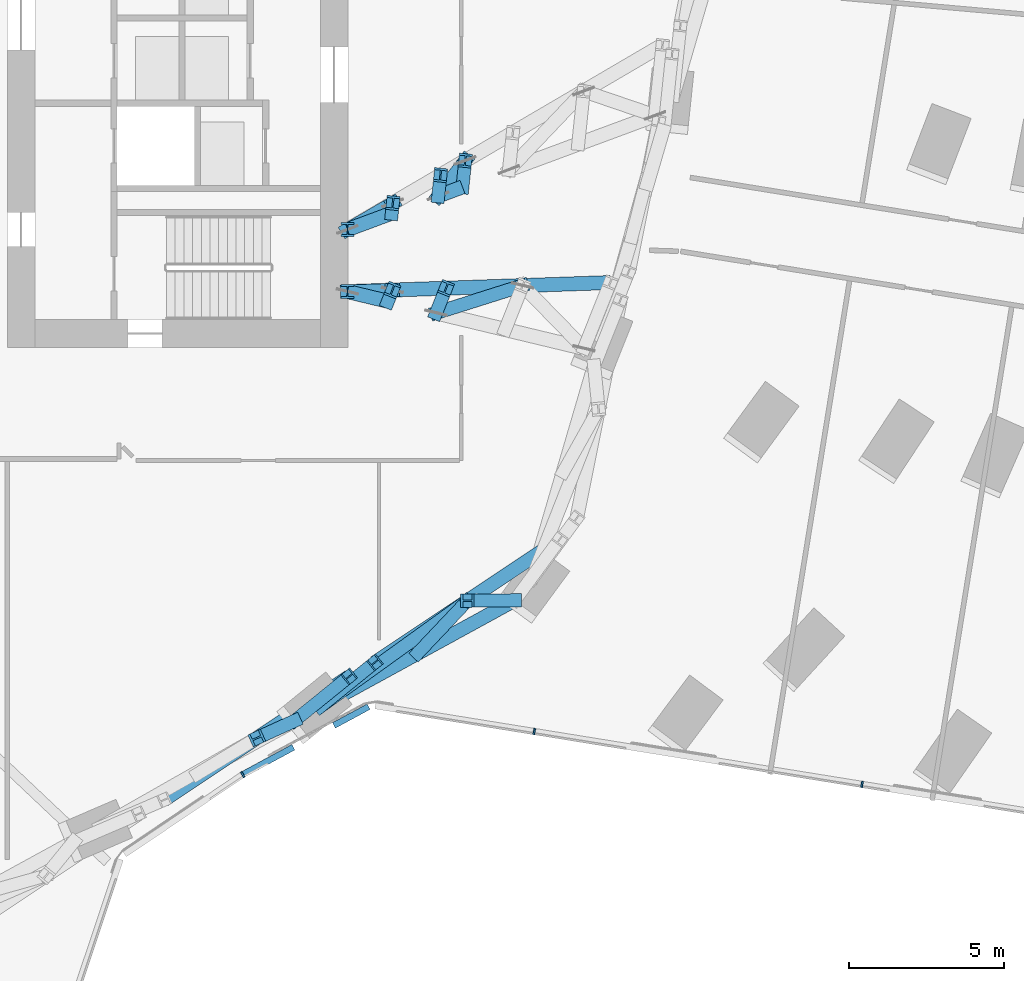
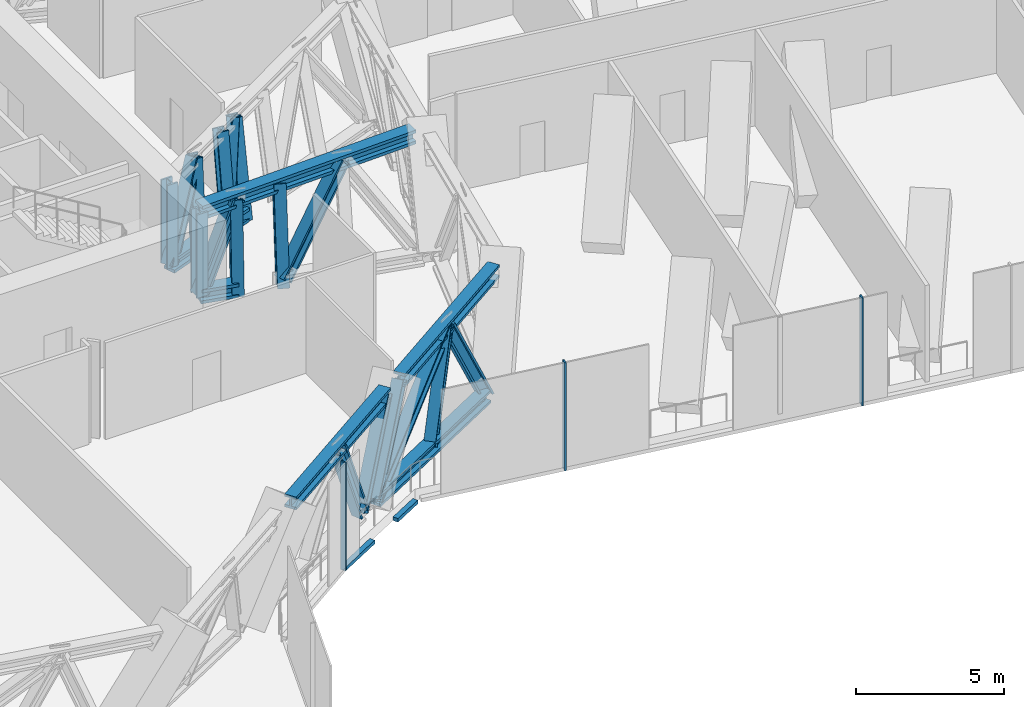
# One storey, part 8 of 39: 29 members, 3 elements without a shape of their own.
"""IFC4 building model written with IfcOpenShell, lengths in metres."""

from ifc_helpers import new_model, si_unit, direction, frame, origin, origin_2d, place, context, subcontext, project, spatial, rectangle, i_section, extrude, material, material_profile, profile_set, type_object, element, aggregate, save


model = new_model("IFC4")

# Units and contexts
model_context = context("Model", 3, precision=1e-05, world=origin(), true_north=direction((0.0, 1.0)))
body_context = subcontext(model_context, "Body", "Model", "MODEL_VIEW")
ifc_project = project(units=[si_unit("LENGTHUNIT", "METRE"), si_unit("AREAUNIT", "SQUARE_METRE"), si_unit("VOLUMEUNIT", "CUBIC_METRE"), si_unit("PLANEANGLEUNIT", "RADIAN"), si_unit("MASSUNIT", "GRAM", prefix="KILO")], contexts=[model_context])

# Site, building, storey
site_placement = place(None, origin())
site = spatial("IfcSite", under=ifc_project, at=site_placement, CompositionType="ELEMENT")
building_placement = place(site_placement, origin())
building = spatial("IfcBuilding", under=site, at=building_placement, Name="Orlundy Tower", CompositionType="ELEMENT")
storey_placement = place(building_placement, frame((0.0, 0.0, 141.199951171875)))
storey = spatial("IfcBuildingStorey", under=building, at=storey_placement, Name="L36", CompositionType="ELEMENT", Elevation=141.199951171875)

# Members
ifc_material_1 = material(Name="Steel ASTM A992 Gr 50", Category="steel")
ifc_material_profile_1 = material_profile(ifc_material_1, i_section(OverallWidth=0.4423828125, OverallDepth=0.531494140625, WebThickness=0.06591796875, FlangeThickness=0.105712890625, at=origin_2d()), Name="W14X605")
ifc_profile_set_1 = profile_set([ifc_material_profile_1], Name="Steel ASTM A992 Gr 50")
member_type_1 = type_object("IfcMemberType", Name="BELT TRUSS chord W14X605", PredefinedType="CHORD", material=ifc_profile_set_1)
member_1_placement = place(storey_placement, frame((13.070068359375, -26.59765625, 3.71533203125), z_axis=(0.831950773764, 0.554849448078, 0.0), x_axis=(-0.554849448078, 0.831950773764, 0.0)))
element("IfcMember", 1, at=member_1_placement, inside=storey, type_object=member_type_1, Name="Belt truss top chord BT-08", PredefinedType="CHORD", context=body_context, shape_type="SweptSolid", body=[
    extrude(i_section(OverallWidth=0.4423828125, OverallDepth=0.531494140625, WebThickness=0.06591796875, FlangeThickness=0.105712890625, at=origin_2d()), origin(), (0.0, 0.0, 1.0), 7.171875),
])
member_2_placement = place(storey_placement, frame((18.087890625, -23.6044921875, 0.28466796875), z_axis=(0.877159435059, 0.480199256026, 0.0), x_axis=(-0.480199256026, 0.877159435059, 0.0)))
element("IfcMember", 2, at=member_2_placement, inside=storey, type_object=member_type_1, Name="Belt truss bottom chord BT-09", PredefinedType="CHORD", context=body_context, shape_type="SweptSolid", body=[
    extrude(i_section(OverallWidth=0.4423828125, OverallDepth=0.531494140625, WebThickness=0.06591796875, FlangeThickness=0.105712890625, at=origin_2d()), origin(), (0.0, 0.0, 1.0), 7.171142578125),
])
member_3_placement = place(storey_placement, frame((19.865478515625, -22.16455078125, 3.71533203125), z_axis=(0.831929811827, 0.55488087748, 0.0), x_axis=(-0.55488087748, 0.831929811827, 0.0)))
element("IfcMember", 3, at=member_3_placement, inside=storey, type_object=member_type_1, Name="Belt truss top chord BT-09", PredefinedType="CHORD", context=body_context, shape_type="SweptSolid", body=[
    extrude(i_section(OverallWidth=0.4423828125, OverallDepth=0.531494140625, WebThickness=0.06591796875, FlangeThickness=0.105712890625, at=origin_2d()), origin(), (0.0, 0.0, 1.0), 7.17138671875),
])
ifc_material_2 = material(Name="Steel ASTM A992 Gr 50", Category="steel")
ifc_material_profile_2 = material_profile(ifc_material_2, i_section(OverallWidth=0.42431640625, OverallDepth=0.47412109375, WebThickness=0.0478515625, FlangeThickness=0.0771484375, at=origin_2d()), Name="W14X426")
ifc_profile_set_2 = profile_set([ifc_material_profile_2], Name="Steel ASTM A992 Gr 50")
member_type_2 = type_object("IfcMemberType", Name="BELT TRUSS diagonal W14X426", PredefinedType="BRACE", material=ifc_profile_set_2)
member_4_placement = place(storey_placement, frame((16.053466796875, -24.60791015625, 3.71533203125), z_axis=(0.327811888157, 0.149433892313, -0.932849868849), x_axis=(-0.414788412043, 0.909917893678, 0.0)))
element("IfcMember", 4, at=member_4_placement, inside=storey, type_object=member_type_2, Name="Belt truss diagonal BT-08-1", PredefinedType="BRACE", context=body_context, shape_type="SweptSolid", body=[
    extrude(i_section(OverallWidth=0.42431640625, OverallDepth=0.47412109375, WebThickness=0.0478515625, FlangeThickness=0.0771484375, at=origin_2d()), origin(), (0.0, 0.0, 1.0), 3.677734375),
])
member_5_placement = place(storey_placement, frame((18.087890625, -23.6044921875, 0.28466796875), z_axis=(0.700417522698, 0.504613844754, 0.504757527512), x_axis=(-0.584543664662, 0.811362252082, 0.0)))
element("IfcMember", 5, at=member_5_placement, inside=storey, type_object=member_type_2, Name="Belt truss diagonal BT-09-0", PredefinedType="BRACE", context=body_context, shape_type="SweptSolid", body=[
    extrude(i_section(OverallWidth=0.42431640625, OverallDepth=0.47412109375, WebThickness=0.0478515625, FlangeThickness=0.0771484375, at=origin_2d()), origin(), (0.0, 0.0, 1.0), 6.796630859375),
])
member_6_placement = place(storey_placement, frame((22.848388671875, -20.1748046875, 3.71533203125), z_axis=(0.407257034788, 0.003704700125, -0.913306072909), x_axis=(-0.009096336062, 0.999958627479, 0.0)))
element("IfcMember", 6, at=member_6_placement, inside=storey, type_object=member_type_2, Name="Belt truss diagonal BT-09-1", PredefinedType="BRACE", context=body_context, shape_type="SweptSolid", body=[
    extrude(i_section(OverallWidth=0.42431640625, OverallDepth=0.47412109375, WebThickness=0.0478515625, FlangeThickness=0.0771484375, at=origin_2d()), origin(), (0.0, 0.0, 1.0), 3.75634765625),
])
ifc_material_3 = material(Name="Steel ASTM A992 Gr 50", Category="steel")
ifc_material_profile_3 = material_profile(ifc_material_3, i_section(OverallWidth=0.412109375, OverallDepth=0.434814453125, WebThickness=0.035888671875, FlangeThickness=0.057373046875, at=origin_2d()), Name="W14X311")
ifc_profile_set_3 = profile_set([ifc_material_profile_3], Name="Steel ASTM A992 Gr 50")
member_type_3 = type_object("IfcMemberType", Name="BELT TRUSS post W14X311", PredefinedType="POST", material=ifc_profile_set_3)
for number, where, z_axis, x_axis, name in (
    (7, (17.259033203125, -24.058349609375, 0.28466796875), (0.43109408308, 0.349209298449, 0.831992041675), (-0.629446873548, 0.777043520905, 0.0), "Belt truss post BT-08-2"),
    (8, (18.087890625, -23.6044921875, 0.28466796875), (0.43109408308, 0.349209298449, 0.831992041675), (-0.629446873548, 0.777043520905, 0.0), "Belt truss post BT-09-0"),
):
    element("IfcMember", number, at=place(storey_placement, frame(where, z_axis=z_axis, x_axis=x_axis)), inside=storey, type_object=member_type_3, Name=name, PredefinedType="POST", context=body_context, shape_type="SweptSolid", body=[
        extrude(i_section(OverallWidth=0.412109375, OverallDepth=0.434814453125, WebThickness=0.035888671875, FlangeThickness=0.057373046875, at=origin_2d()), origin(), (0.0, 0.0, 1.0), 4.12353515625),
    ])
member_7_placement = place(storey_placement, frame((21.233154296875, -21.8828125, 0.28466796875), z_axis=(0.388388280399, 0.410695950675, 0.824914165079), x_axis=(-0.726563696362, 0.687099115942, 0.0)))
element("IfcMember", 9, at=member_7_placement, inside=storey, type_object=member_type_3, Name="Belt truss post BT-09-1", PredefinedType="POST", context=body_context, shape_type="SweptSolid", body=[
    extrude(i_section(OverallWidth=0.412109375, OverallDepth=0.434814453125, WebThickness=0.035888671875, FlangeThickness=0.057373046875, at=origin_2d()), origin(), (0.0, 0.0, 1.0), 4.15869140625),
])

# Curtain wall, members
ifc_material_4 = material(Name="Aluminium bronze anodised", Category="aluminium")
curtain_wall_type = type_object("IfcCurtainWallType", Name="CW4 wall", PredefinedType="NOTDEFINED", material=ifc_material_4)
curtain_wall_1_placement = place(storey_placement, origin())
curtain_wall_1 = element("IfcCurtainWall", 10, at=curtain_wall_1_placement, inside=storey, type_object=curtain_wall_type, Name="CW4 run 041", PredefinedType="NOTDEFINED")
ifc_material_5 = material(Name="Aluminium bronze anodised", Category="aluminium")
ifc_material_profile_4 = material_profile(ifc_material_5, rectangle(XDim=0.199951171875, YDim=0.06005859375, at=origin_2d()), Name="CW4 mullion 60x200")
ifc_profile_set_4 = profile_set([ifc_material_profile_4], Name="Aluminium bronze anodised")
member_type_4 = type_object("IfcMemberType", Name="CW4 mullion 60x200", PredefinedType="MULLION", material=ifc_profile_set_4)
member_8_placement = place(storey_placement, frame((35.582275390625, -26.101806640625, -0.449951171875), z_axis=(0.0, 0.0, 1.0), x_axis=(-0.159311085453, -0.987228432558, 0.0)))
member_8 = element("IfcMember", 11, at=member_8_placement, type_object=member_type_4, Name="CW4 mullion 72", PredefinedType="MULLION", context=body_context, shape_type="SweptSolid", body=[
    extrude(rectangle(XDim=0.199951171875, YDim=0.06005859375, at=origin_2d()), origin(), (0.0, 0.0, 1.0), 4.449951171875),
])
member_9_placement = place(storey_placement, frame((25.00537109375, -24.39501953125, -0.449951171875), z_axis=(0.0, 0.0, 1.0), x_axis=(-0.159311085453, -0.987228432558, 0.0)))
member_9 = element("IfcMember", 12, at=member_9_placement, type_object=member_type_4, Name="CW4 mullion 74", PredefinedType="MULLION", context=body_context, shape_type="SweptSolid", body=[
    extrude(rectangle(XDim=0.199951171875, YDim=0.06005859375, at=origin_2d()), origin(), (0.0, 0.0, 1.0), 4.449951171875),
])
aggregate(curtain_wall_1, [member_8, member_9])

# Curtain wall, member
curtain_wall_2_placement = place(storey_placement, origin())
curtain_wall_2 = element("IfcCurtainWall", 13, at=curtain_wall_2_placement, inside=storey, type_object=curtain_wall_type, Name="CW4 run 043", PredefinedType="NOTDEFINED")
member_10_placement = place(storey_placement, frame((15.596923828125, -25.78662109375, -0.449951171875), z_axis=(0.0, 0.0, 1.0), x_axis=(0.517522219842, -0.855669768059, 0.0)))
member_10 = element("IfcMember", 14, at=member_10_placement, type_object=member_type_4, Name="CW4 mullion 76", PredefinedType="MULLION", context=body_context, shape_type="SweptSolid", body=[
    extrude(rectangle(XDim=0.199951171875, YDim=0.06005859375, at=origin_2d()), origin(), (0.0, 0.0, 1.0), 4.449951171875),
])
aggregate(curtain_wall_2, [member_10])

# Curtain wall, members
curtain_wall_3_placement = place(storey_placement, origin())
curtain_wall_3 = element("IfcCurtainWall", 15, at=curtain_wall_3_placement, inside=storey, type_object=curtain_wall_type, Name="CW4 run 042", PredefinedType="NOTDEFINED")
ifc_material_6 = material(Name="Aluminium bronze anodised", Category="aluminium")
ifc_material_profile_5 = material_profile(ifc_material_6, rectangle(XDim=0.199951171875, YDim=0.14990234375, at=origin_2d()), Name="CW4 transom 200x150")
ifc_profile_set_5 = profile_set([ifc_material_profile_5], Name="Aluminium bronze anodised")
member_type_5 = type_object("IfcMemberType", Name="CW4 transom 200x150", PredefinedType="USERDEFINED", material=ifc_profile_set_5)
member_11_placement = place(storey_placement, frame((19.66259765625, -23.594482421875, -0.375), z_axis=(-0.880187574392, -0.474625993689, 0.0), x_axis=(0.474625993689, -0.880187574392, 0.0)))
member_11 = element("IfcMember", 16, at=member_11_placement, type_object=member_type_5, Name="CW4 transom", ObjectType="TRANSOM", PredefinedType="USERDEFINED", context=body_context, shape_type="SweptSolid", body=[
    extrude(rectangle(XDim=0.199951171875, YDim=0.14990234375, at=origin_2d()), origin(), (0.0, 0.0, 1.0), 1.272705078125),
])
member_12_placement = place(storey_placement, frame((17.232666015625, -24.90478515625, -0.375), z_axis=(-0.880222296593, -0.474561596191, 0.0), x_axis=(0.474561596191, -0.880222296593, 0.0)))
member_12 = element("IfcMember", 17, at=member_12_placement, type_object=member_type_5, Name="CW4 transom", ObjectType="TRANSOM", PredefinedType="USERDEFINED", context=body_context, shape_type="SweptSolid", body=[
    extrude(rectangle(XDim=0.199951171875, YDim=0.14990234375, at=origin_2d()), origin(), (0.0, 0.0, 1.0), 1.828369140625),
])
aggregate(curtain_wall_3, [member_11, member_12])

# Members
ifc_material_7 = material(Name="Steel ASTM A992 Gr 50", Category="steel")
ifc_material_profile_6 = material_profile(ifc_material_7, i_section(OverallWidth=0.454345703125, OverallDepth=0.569580078125, WebThickness=0.077880859375, FlangeThickness=0.124755859375, at=origin_2d()), Name="W14X730")
ifc_profile_set_6 = profile_set([ifc_material_profile_6], Name="Steel ASTM A992 Gr 50")
member_type_6 = type_object("IfcMemberType", Name="OUTRIGGER TRUSS chord W14X730", PredefinedType="CHORD", material=ifc_profile_set_6)
member_13_placement = place(storey_placement, frame((18.97998046875, -10.199951171875, 0.28466796875), z_axis=(0.972296412127, -0.23375133575, 0.0), x_axis=(0.23375133575, 0.972296412127, 0.0)))
element("IfcMember", 18, at=member_13_placement, inside=storey, type_object=member_type_6, Name="Outrigger truss bottom chord OR-E-C-H06", PredefinedType="CHORD", context=body_context, shape_type="SweptSolid", body=[
    extrude(i_section(OverallWidth=0.454345703125, OverallDepth=0.569580078125, WebThickness=0.077880859375, FlangeThickness=0.124755859375, at=origin_2d()), origin(), (0.0, 0.0, 1.0), 1.342041015625),
])
member_14_placement = place(storey_placement, frame((18.97998046875, -10.199951171875, 3.71533203125), z_axis=(0.999407263533, 0.034425595092, 0.0), x_axis=(-0.034425595092, 0.999407263533, 0.0)))
element("IfcMember", 19, at=member_14_placement, inside=storey, type_object=member_type_6, Name="Outrigger truss top chord OR-E-C-H06", PredefinedType="CHORD", context=body_context, shape_type="SweptSolid", body=[
    extrude(i_section(OverallWidth=0.454345703125, OverallDepth=0.569580078125, WebThickness=0.077880859375, FlangeThickness=0.124755859375, at=origin_2d()), origin(), (0.0, 0.0, 1.0), 8.48193359375),
])
member_15_placement = place(storey_placement, frame((18.97998046875, -8.199951171875, 0.28466796875), z_axis=(0.937580540396, 0.347768213429, 0.0), x_axis=(-0.347768213429, 0.937580540396, 0.0)))
element("IfcMember", 20, at=member_15_placement, inside=storey, type_object=member_type_6, Name="Outrigger truss bottom chord OR-E-C-H05", PredefinedType="CHORD", context=body_context, shape_type="SweptSolid", body=[
    extrude(i_section(OverallWidth=0.454345703125, OverallDepth=0.569580078125, WebThickness=0.077880859375, FlangeThickness=0.124755859375, at=origin_2d()), origin(), (0.0, 0.0, 1.0), 1.524169921875),
])
member_16_placement = place(storey_placement, frame((21.908935546875, -7.113525390625, 0.28466796875), z_axis=(0.9376355712, 0.347619814768, 0.0), x_axis=(-0.347619814768, 0.9376355712, 0.0)))
element("IfcMember", 21, at=member_16_placement, inside=storey, type_object=member_type_6, Name="Outrigger truss bottom chord OR-E-C-H052", PredefinedType="CHORD", context=body_context, shape_type="SweptSolid", body=[
    extrude(i_section(OverallWidth=0.454345703125, OverallDepth=0.569580078125, WebThickness=0.077880859375, FlangeThickness=0.124755859375, at=origin_2d()), origin(), (0.0, 0.0, 1.0), 0.8330078125),
])
ifc_material_8 = material(Name="Steel ASTM A992 Gr 50", Category="steel")
ifc_material_profile_7 = material_profile(ifc_material_8, i_section(OverallWidth=0.43212890625, OverallDepth=0.497802734375, WebThickness=0.0556640625, FlangeThickness=0.0888671875, at=origin_2d()), Name="W14X500")
ifc_profile_set_7 = profile_set([ifc_material_profile_7], Name="Steel ASTM A992 Gr 50")
member_type_7 = type_object("IfcMemberType", Name="OUTRIGGER TRUSS diagonal W14X500", PredefinedType="BRACE", material=ifc_profile_set_7)
member_17_placement = place(storey_placement, frame((18.97998046875, -10.199951171875, 0.28466796875), z_axis=(0.389100439354, 0.01337205014, 0.921098277259), x_axis=(-0.034346300256, 0.999409991774, 0.0)))
element("IfcMember", 22, at=member_17_placement, inside=storey, type_object=member_type_7, Name="Outrigger truss diagonal OR-E-C-H06-0", PredefinedType="BRACE", context=body_context, shape_type="SweptSolid", body=[
    extrude(i_section(OverallWidth=0.43212890625, OverallDepth=0.497802734375, WebThickness=0.0556640625, FlangeThickness=0.0888671875, at=origin_2d()), origin(), (0.0, 0.0, 1.0), 3.724609375),
])
member_18_placement = place(storey_placement, frame((21.840576171875, -10.887451171875, 0.28466796875), z_axis=(0.618859829573, 0.195603233685, 0.760757442496), x_axis=(-0.301374876648, 0.953505733452, 0.0)))
element("IfcMember", 23, at=member_18_placement, inside=storey, type_object=member_type_7, Name="Outrigger truss diagonal OR-E-C-H06-2", PredefinedType="BRACE", context=body_context, shape_type="SweptSolid", body=[
    extrude(i_section(OverallWidth=0.43212890625, OverallDepth=0.497802734375, WebThickness=0.0556640625, FlangeThickness=0.0888671875, at=origin_2d()), origin(), (0.0, 0.0, 1.0), 4.509521484375),
])
member_19_placement = place(storey_placement, frame((18.97998046875, -8.199951171875, 0.28466796875), z_axis=(0.382326002983, 0.224049544882, 0.896453361241), x_axis=(-0.505597572132, 0.86276943331, 0.0)))
element("IfcMember", 24, at=member_19_placement, inside=storey, type_object=member_type_7, Name="Outrigger truss diagonal OR-E-C-H05-0", PredefinedType="BRACE", context=body_context, shape_type="SweptSolid", body=[
    extrude(i_section(OverallWidth=0.43212890625, OverallDepth=0.497802734375, WebThickness=0.0556640625, FlangeThickness=0.0888671875, at=origin_2d()), origin(), (0.0, 0.0, 1.0), 3.826904296875),
])
member_20_placement = place(storey_placement, frame((21.908935546875, -7.113525390625, 0.28466796875), z_axis=(0.233945990462, 0.306565767462, 0.92265199494), x_axis=(-0.794966372168, 0.606653498401, 0.0)))
element("IfcMember", 25, at=member_20_placement, inside=storey, type_object=member_type_7, Name="Outrigger truss diagonal OR-E-C-H05-2", PredefinedType="BRACE", context=body_context, shape_type="SweptSolid", body=[
    extrude(i_section(OverallWidth=0.43212890625, OverallDepth=0.497802734375, WebThickness=0.0556640625, FlangeThickness=0.0888671875, at=origin_2d()), origin(), (0.0, 0.0, 1.0), 3.71826171875),
])
ifc_material_9 = material(Name="Steel ASTM A992 Gr 50", Category="steel")
ifc_material_profile_8 = material_profile(ifc_material_9, i_section(OverallWidth=0.41845703125, OverallDepth=0.455078125, WebThickness=0.0419921875, FlangeThickness=0.067626953125, at=origin_2d()), Name="W14X370")
ifc_profile_set_8 = profile_set([ifc_material_profile_8], Name="Steel ASTM A992 Gr 50")
member_type_8 = type_object("IfcMemberType", Name="OUTRIGGER TRUSS post W14X370", PredefinedType="POST", material=ifc_profile_set_8)
member_21_placement = place(storey_placement, frame((18.97998046875, -10.199951171875, 0.28466796875), z_axis=(0.0, 0.0, 1.0), x_axis=(1.0, 0.0, 0.0)))
element("IfcMember", 26, at=member_21_placement, inside=storey, type_object=member_type_8, Name="Outrigger truss post OR-E-C-H06-0", PredefinedType="POST", context=body_context, shape_type="SweptSolid", body=[
    extrude(i_section(OverallWidth=0.41845703125, OverallDepth=0.455078125, WebThickness=0.0419921875, FlangeThickness=0.067626953125, at=origin_2d()), origin(), (0.0, 0.0, 1.0), 3.4306640625),
])
member_22_placement = place(storey_placement, frame((20.284912109375, -10.513671875, 0.0), z_axis=(0.03862217781, 0.097306975904, 0.994504740975), x_axis=(-0.929463533202, 0.368914001425, 0.0)))
element("IfcMember", 27, at=member_22_placement, inside=storey, type_object=member_type_8, Name="Outrigger truss post OR-E-C-H06-1", PredefinedType="POST", context=body_context, shape_type="SweptSolid", body=[
    extrude(i_section(OverallWidth=0.41845703125, OverallDepth=0.455078125, WebThickness=0.0419921875, FlangeThickness=0.067626953125, at=origin_2d()), origin(), (0.0, 0.0, 1.0), 3.73583984375),
])
member_23_placement = place(storey_placement, frame((21.840576171875, -10.887451171875, 0.0), z_axis=(0.083044948058, 0.208988982622, 0.974385520082), x_axis=(-0.929318626745, 0.369278878336, 0.0)))
element("IfcMember", 28, at=member_23_placement, inside=storey, type_object=member_type_8, Name="Outrigger truss post OR-E-C-H06-2", PredefinedType="POST", context=body_context, shape_type="SweptSolid", body=[
    extrude(i_section(OverallWidth=0.41845703125, OverallDepth=0.455078125, WebThickness=0.0419921875, FlangeThickness=0.067626953125, at=origin_2d()), origin(), (0.0, 0.0, 1.0), 3.81298828125),
])
member_24_placement = place(storey_placement, frame((18.97998046875, -8.199951171875, 0.28466796875), z_axis=(0.0, 0.0, 1.0), x_axis=(1.0, 0.0, 0.0)))
element("IfcMember", 29, at=member_24_placement, inside=storey, type_object=member_type_8, Name="Outrigger truss post OR-E-C-H05-0", PredefinedType="POST", context=body_context, shape_type="SweptSolid", body=[
    extrude(i_section(OverallWidth=0.41845703125, OverallDepth=0.455078125, WebThickness=0.0419921875, FlangeThickness=0.067626953125, at=origin_2d()), origin(), (0.0, 0.0, 1.0), 3.4306640625),
])
member_25_placement = place(storey_placement, frame((20.408935546875, -7.669921875, 0.0), z_axis=(0.009163736258, 0.087775502303, 0.996098131277), x_axis=(-0.994594498353, 0.103835368956, 0.0)))
element("IfcMember", 30, at=member_25_placement, inside=storey, type_object=member_type_8, Name="Outrigger truss post OR-E-C-H05-1", PredefinedType="POST", context=body_context, shape_type="SweptSolid", body=[
    extrude(i_section(OverallWidth=0.41845703125, OverallDepth=0.455078125, WebThickness=0.0419921875, FlangeThickness=0.067626953125, at=origin_2d()), origin(), (0.0, 0.0, 1.0), 3.72998046875),
])
member_26_placement = place(storey_placement, frame((21.908935546875, -7.113525390625, 0.0), z_axis=(0.018620312485, 0.177733468821, 0.983902484001), x_axis=(-0.994556874865, 0.104195118211, 0.0)))
element("IfcMember", 31, at=member_26_placement, inside=storey, type_object=member_type_8, Name="Outrigger truss post OR-E-C-H05-2", PredefinedType="POST", context=body_context, shape_type="SweptSolid", body=[
    extrude(i_section(OverallWidth=0.41845703125, OverallDepth=0.455078125, WebThickness=0.0419921875, FlangeThickness=0.067626953125, at=origin_2d()), origin(), (0.0, 0.0, 1.0), 3.776123046875),
])
member_27_placement = place(storey_placement, frame((22.68994140625, -6.823974609375, 0.0), z_axis=(0.023309815607, 0.223044197138, 0.974529598637), x_axis=(-0.994583409086, 0.103941533422, 0.0)))
element("IfcMember", 32, at=member_27_placement, inside=storey, type_object=member_type_8, Name="Outrigger truss post OR-E-C-H05-3", PredefinedType="POST", context=body_context, shape_type="SweptSolid", body=[
    extrude(i_section(OverallWidth=0.41845703125, OverallDepth=0.455078125, WebThickness=0.0419921875, FlangeThickness=0.067626953125, at=origin_2d()), origin(), (0.0, 0.0, 1.0), 3.8125),
])

save(model, "model.ifc")
